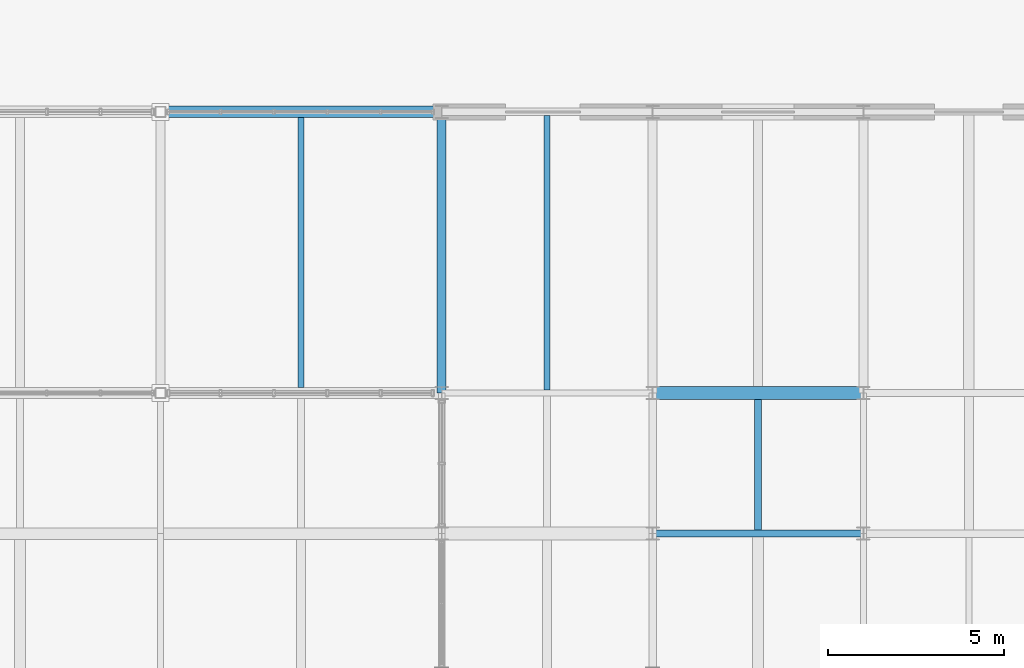
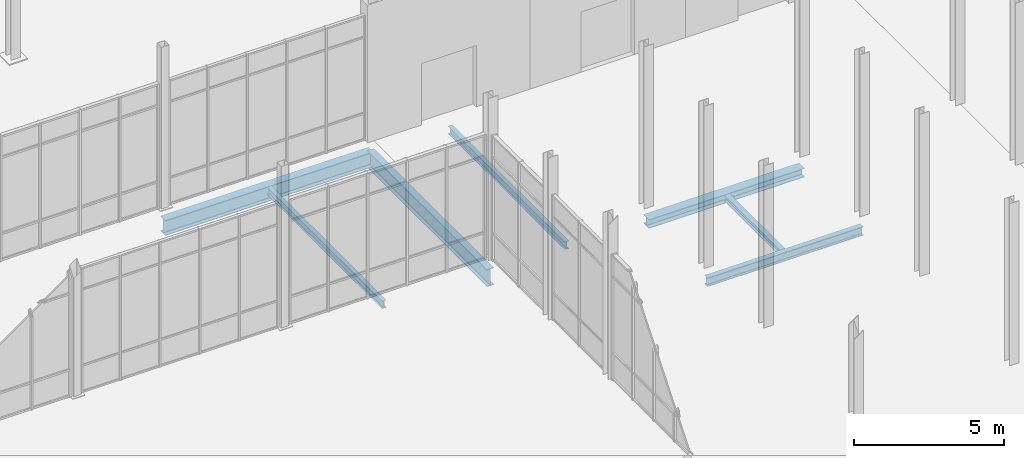
# One storey, part 88 of 140: 7 beams.
"""IFC4 building model written with IfcOpenShell, lengths in metres."""

from ifc_helpers import new_model, si_unit, direction, frame, origin, origin_2d, place, context, subcontext, project, spatial, i_section, extrude, material, material_profile, profile_set, type_object, element, save


model = new_model("IFC4")

# Units and contexts
model_context = context("Model", 3, precision=1e-05, world=origin(), true_north=direction((0.0, 1.0)))
body_context = subcontext(model_context, "Body", "Model", "MODEL_VIEW")
ifc_project = project(units=[si_unit("LENGTHUNIT", "METRE"), si_unit("AREAUNIT", "SQUARE_METRE"), si_unit("VOLUMEUNIT", "CUBIC_METRE"), si_unit("PLANEANGLEUNIT", "RADIAN"), si_unit("MASSUNIT", "GRAM", prefix="KILO")], contexts=[model_context])

# Site, building, storey
site_placement = place(None, origin())
site = spatial("IfcSite", under=ifc_project, at=site_placement, CompositionType="ELEMENT")
building_placement = place(site_placement, origin())
building = spatial("IfcBuilding", under=site, at=building_placement, Name="Verrall Gate Interchange", CompositionType="ELEMENT")
storey_placement = place(building_placement, origin())
storey = spatial("IfcBuildingStorey", under=building, at=storey_placement, Name="L01", CompositionType="ELEMENT", Elevation=0.0)

# Beams
ifc_material_1 = material(Name="Structural Steel CSA G40.21 350WT Cat 4", Category="steel")
ifc_material_profile_1 = material_profile(ifc_material_1, i_section(OverallWidth=0.256103515625, OverallDepth=0.693115234375, WebThickness=0.01318359375, FlangeThickness=0.02001953125, FilletRadius=0.01611328125, at=origin_2d()), Name="W690x170")
ifc_profile_set_1 = profile_set([ifc_material_profile_1], Name="Structural Steel CSA G40.21 350WT Cat 4")
beam_type_1 = type_object("IfcBeamType", Name="B-07 Structural Beam W690x170", PredefinedType="BEAM", material=ifc_profile_set_1)
beam_1_placement = place(storey_placement, frame((132.0, 48.0, -0.846435546875), z_axis=(0.0, 1.0, 0.0), x_axis=(-1.0, 0.0, 0.0)))
element("IfcBeam", 1, at=beam_1_placement, inside=storey, type_object=beam_type_1, Name="L01 Girder BM-L01-1202 (B-07)", PredefinedType="BEAM", context=body_context, shape_type="SweptSolid", body=[
    extrude(i_section(OverallWidth=0.256103515625, OverallDepth=0.693115234375, WebThickness=0.01318359375, FlangeThickness=0.02001953125, FilletRadius=0.01611328125, at=origin_2d()), origin(), (0.0, 0.0, 1.0), 8.0),
])
ifc_material_2 = material(Name="Structural Steel CSA G40.21 350WT Cat 4", Category="steel")
ifc_material_profile_2 = material_profile(ifc_material_2, i_section(OverallWidth=0.323974609375, OverallDepth=0.611083984375, WebThickness=0.0126953125, FlangeThickness=0.01904296875, FilletRadius=0.014892578125, at=origin_2d()), Name="W610x155")
ifc_profile_set_2 = profile_set([ifc_material_profile_2], Name="Structural Steel CSA G40.21 350WT Cat 4")
beam_type_2 = type_object("IfcBeamType", Name="B-08 Structural Beam W610x155", PredefinedType="BEAM", material=ifc_profile_set_2)
beam_2_placement = place(storey_placement, frame((124.0, 56.0, -0.805419921875), z_axis=(1.0, 0.0, 0.0), x_axis=(0.0, 1.0, 0.0)))
element("IfcBeam", 2, at=beam_2_placement, inside=storey, type_object=beam_type_2, Name="L01 Girder BM-L01-0950 (B-08)", PredefinedType="BEAM", context=body_context, shape_type="SweptSolid", body=[
    extrude(i_section(OverallWidth=0.323974609375, OverallDepth=0.611083984375, WebThickness=0.0126953125, FlangeThickness=0.01904296875, FilletRadius=0.014892578125, at=origin_2d()), origin(), (0.0, 0.0, 1.0), 8.0),
])
ifc_material_3 = material(Name="Structural Steel CSA G40.21 350W", Category="steel")
ifc_material_profile_3 = material_profile(ifc_material_3, i_section(OverallWidth=0.368896484375, OverallDepth=0.35595703125, WebThickness=0.01123046875, FlangeThickness=0.01806640625, FilletRadius=0.014892578125, at=origin_2d()), Name="W360x134")
ifc_profile_set_3 = profile_set([ifc_material_profile_3], Name="Structural Steel CSA G40.21 350W")
beam_type_3 = type_object("IfcBeamType", Name="B-13 Structural Beam W360x134", PredefinedType="BEAM", material=ifc_profile_set_3)
beam_3_placement = place(storey_placement, frame((138.0, 48.0, -0.677978515625), z_axis=(1.0, 0.0, 0.0), x_axis=(0.0, 1.0, 0.0)))
element("IfcBeam", 3, at=beam_3_placement, inside=storey, type_object=beam_type_3, Name="L01 Girder BM-L01-0930 (B-13)", PredefinedType="BEAM", context=body_context, shape_type="SweptSolid", body=[
    extrude(i_section(OverallWidth=0.368896484375, OverallDepth=0.35595703125, WebThickness=0.01123046875, FlangeThickness=0.01806640625, FilletRadius=0.014892578125, at=origin_2d()), origin(), (0.0, 0.0, 1.0), 6.0),
])
ifc_material_4 = material(Name="Structural Steel CSA G40.21 350W", Category="steel")
ifc_material_profile_4 = material_profile(ifc_material_4, i_section(OverallWidth=0.205078125, OverallDepth=0.35400390625, WebThickness=0.009521484375, FlangeThickness=0.016845703125, FilletRadius=0.012939453125, at=origin_2d()), Name="W360x79")
ifc_profile_set_4 = profile_set([ifc_material_profile_4], Name="Structural Steel CSA G40.21 350W")
beam_type_4 = type_object("IfcBeamType", Name="B-14 Structural Beam W360x79", PredefinedType="BEAM", material=ifc_profile_set_4)
beam_4_placement = place(storey_placement, frame((138.0, 44.0, -0.677001953125), z_axis=(1.0, 0.0, 0.0), x_axis=(0.0, 1.0, 0.0)))
element("IfcBeam", 4, at=beam_4_placement, inside=storey, type_object=beam_type_4, Name="L01 Girder BM-L01-0905 (B-14)", PredefinedType="BEAM", context=body_context, shape_type="SweptSolid", body=[
    extrude(i_section(OverallWidth=0.205078125, OverallDepth=0.35400390625, WebThickness=0.009521484375, FlangeThickness=0.016845703125, FilletRadius=0.012939453125, at=origin_2d()), origin(), (0.0, 0.0, 1.0), 6.0),
])
ifc_material_5 = material(Name="Structural Steel CSA G40.21 350W", Category="steel")
ifc_material_profile_5 = material_profile(ifc_material_5, i_section(OverallWidth=0.1650390625, OverallDepth=0.31005859375, WebThickness=0.005859375, FlangeThickness=0.009765625, FilletRadius=0.010009765625, at=origin_2d()), Name="W310x39")
ifc_profile_set_5 = profile_set([ifc_material_profile_5], Name="Structural Steel CSA G40.21 350W")
beam_type_5 = type_object("IfcBeamType", Name="J-04 Floor Joist W310x39", PredefinedType="JOIST", material=ifc_profile_set_5)
beam_5_placement = place(storey_placement, frame((128.0, 48.162109375, -0.655029296875), z_axis=(0.0, 1.0, 0.0), x_axis=(-1.0, 0.0, 0.0)))
element("IfcBeam", 5, at=beam_5_placement, inside=storey, type_object=beam_type_5, Name="L01 Secondary Floor Joist JST-L01-1414", PredefinedType="JOIST", context=body_context, shape_type="SweptSolid", body=[
    extrude(i_section(OverallWidth=0.1650390625, OverallDepth=0.31005859375, WebThickness=0.005859375, FlangeThickness=0.009765625, FilletRadius=0.010009765625, at=origin_2d()), origin(), (0.0, 0.0, 1.0), 7.67578125),
])
beam_6_placement = place(storey_placement, frame((135.0, 48.089599609375, -0.655029296875), z_axis=(0.0, 1.0, 0.0), x_axis=(-1.0, 0.0, 0.0)))
element("IfcBeam", 6, at=beam_6_placement, inside=storey, type_object=beam_type_5, Name="L01 Secondary Floor Joist JST-L01-1415", PredefinedType="JOIST", context=body_context, shape_type="SweptSolid", body=[
    extrude(i_section(OverallWidth=0.1650390625, OverallDepth=0.31005859375, WebThickness=0.005859375, FlangeThickness=0.009765625, FilletRadius=0.010009765625, at=origin_2d()), origin(), (0.0, 0.0, 1.0), 7.804931640625),
])
ifc_material_6 = material(Name="Structural Steel CSA G40.21 350W", Category="steel")
ifc_material_profile_6 = material_profile(ifc_material_6, i_section(OverallWidth=0.201904296875, OverallDepth=0.2470703125, WebThickness=0.00732421875, FlangeThickness=0.010986328125, FilletRadius=0.010986328125, at=origin_2d()), Name="W250x49")
ifc_profile_set_6 = profile_set([ifc_material_profile_6], Name="Structural Steel CSA G40.21 350W")
beam_type_6 = type_object("IfcBeamType", Name="J-06 Floor Joist W250x49", PredefinedType="JOIST", material=ifc_profile_set_6)
beam_7_placement = place(storey_placement, frame((141.0, 44.1025390625, -0.62353515625), z_axis=(0.0, 1.0, 0.0), x_axis=(-1.0, 0.0, 0.0)))
element("IfcBeam", 7, at=beam_7_placement, inside=storey, type_object=beam_type_6, Name="L01 Secondary Floor Joist JST-L01-1395", PredefinedType="JOIST", context=body_context, shape_type="SweptSolid", body=[
    extrude(i_section(OverallWidth=0.201904296875, OverallDepth=0.2470703125, WebThickness=0.00732421875, FlangeThickness=0.010986328125, FilletRadius=0.010986328125, at=origin_2d()), origin(), (0.0, 0.0, 1.0), 3.712890625),
])

save(model, "model.ifc")
